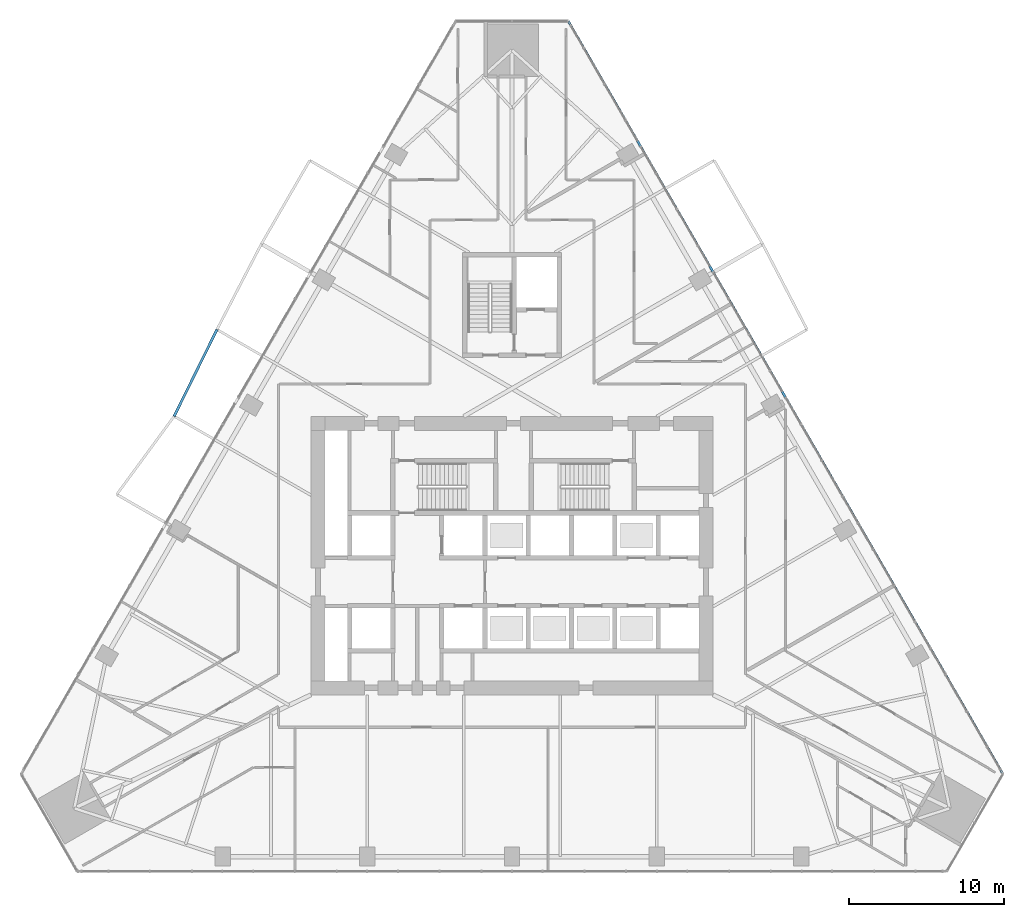
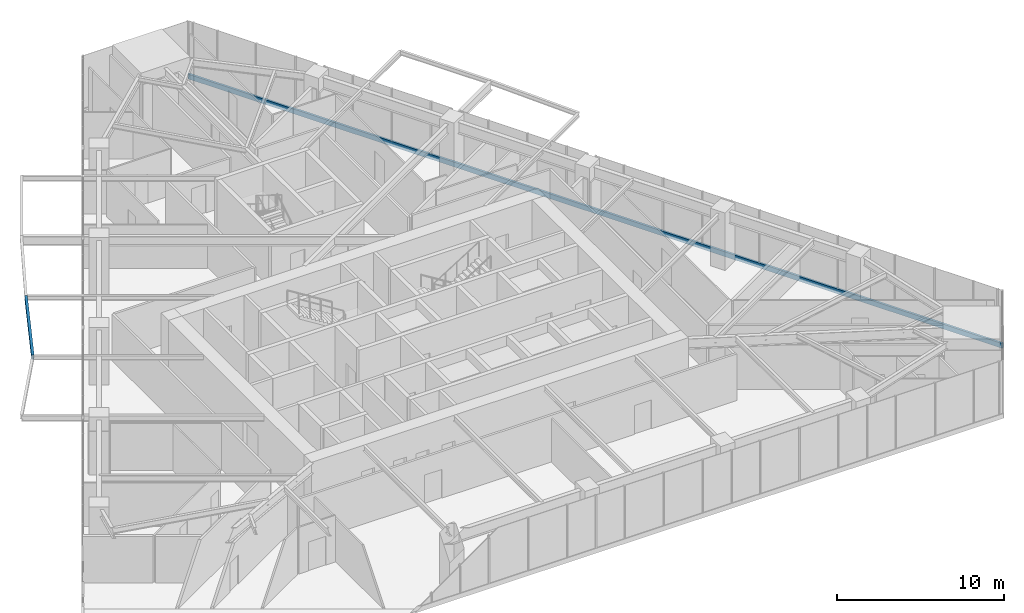
# One storey, part 8 of 22: 1 beam, 1 member, 1 element without a shape of its own.
"""IFC4 building model written with IfcOpenShell, lengths in metres."""

from ifc_helpers import new_model, si_unit, direction, frame, origin, origin_2d, place, context, subcontext, project, spatial, rectangle, i_section, extrude, material, layer, layer_set, material_profile, profile_set, type_object, element, aggregate, save


model = new_model("IFC4")

# Units and contexts
model_context = context("Model", 3, precision=1e-05, world=origin(), true_north=direction((0.0, 1.0)))
body_context = subcontext(model_context, "Body", "Model", "MODEL_VIEW")
ifc_project = project(units=[si_unit("LENGTHUNIT", "METRE"), si_unit("AREAUNIT", "SQUARE_METRE"), si_unit("VOLUMEUNIT", "CUBIC_METRE"), si_unit("PLANEANGLEUNIT", "RADIAN"), si_unit("MASSUNIT", "GRAM", prefix="KILO")], contexts=[model_context])

# Site, building, storey
site_placement = place(None, origin())
site = spatial("IfcSite", under=ifc_project, at=site_placement, CompositionType="ELEMENT")
building_placement = place(site_placement, origin())
building = spatial("IfcBuilding", under=site, at=building_placement, Name="Firuza Gate Tower and Library", CompositionType="ELEMENT")
storey_placement = place(building_placement, frame((0.0, 0.0, 111.39990234375)))
storey = spatial("IfcBuildingStorey", under=building, at=storey_placement, Name="L25", CompositionType="ELEMENT", Elevation=111.39990234375)

# Curtain wall, member
ifc_material_1 = material(Name="Aluminium 6063-T6", Category="aluminium")
ifc_layer = layer(ifc_material_1, 0.14990234375)
ifc_layer_set = layer_set([ifc_layer], Name="Unitised curtain wall, offices")
curtain_wall_type = type_object("IfcCurtainWallType", Name="Unitised curtain wall, offices", PredefinedType="NOTDEFINED", material=ifc_layer_set)
curtain_wall_placement = place(storey_placement, origin())
curtain_wall = element("IfcCurtainWall", 1, at=curtain_wall_placement, inside=storey, type_object=curtain_wall_type, Name="CW1 L25 E face", PredefinedType="NOTDEFINED")
ifc_material_2 = material(Name="Aluminium 6063-T6", Category="aluminium")
ifc_material_profile_1 = material_profile(ifc_material_2, rectangle(XDim=0.14990234375, YDim=0.35009765625, at=origin_2d()))
ifc_profile_set_1 = profile_set([ifc_material_profile_1], Name="Aluminium 6063-T6")
member_type = type_object("IfcMemberType", Name="Curtain wall transom 350x150", PredefinedType="USERDEFINED", material=ifc_profile_set_1)
member_placement = place(storey_placement, frame((106.749267578125, 60.87646484375, -0.02490234375), z_axis=(-0.500000287872, 0.866025237581, 0.0), x_axis=(-0.866025237581, -0.500000287872, 0.0)))
member = element("IfcMember", 2, at=member_placement, type_object=member_type, Name="Transom", ObjectType="TRANSOM", PredefinedType="USERDEFINED", context=body_context, shape_type="SweptSolid", body=[
    extrude(rectangle(XDim=0.14990234375, YDim=0.35009765625, at=origin_2d()), origin(), (0.0, 0.0, 1.0), 56.2119140625),
])
aggregate(curtain_wall, [member])

# Beam
ifc_material_3 = material(Name="Steel S355", Category="steel")
ifc_material_profile_2 = material_profile(ifc_material_3, i_section(OverallWidth=0.1650390625, OverallDepth=0.31005859375, WebThickness=0.005859375, FlangeThickness=0.009765625, at=origin_2d()))
ifc_profile_set_2 = profile_set([ifc_material_profile_2], Name="Steel S355")
beam_type = type_object("IfcBeamType", Name="W310x39 Floor beam", PredefinedType="JOIST", material=ifc_profile_set_2)
beam_placement = place(storey_placement, frame((55.919921875, 89.6162109375, 3.84521484375), z_axis=(-0.442425493267, -0.896805264763, 0.0), x_axis=(0.896805264763, -0.442425493267, 0.0)))
element("IfcBeam", 3, at=beam_placement, inside=storey, type_object=beam_type, Name="Tray edge beam L25 s82-s83", PredefinedType="JOIST", context=body_context, shape_type="SweptSolid", body=[
    extrude(i_section(OverallWidth=0.1650390625, OverallDepth=0.31005859375, WebThickness=0.005859375, FlangeThickness=0.009765625, at=origin_2d()), origin(), (0.0, 0.0, 1.0), 6.24951171875),
])

save(model, "model.ifc")
